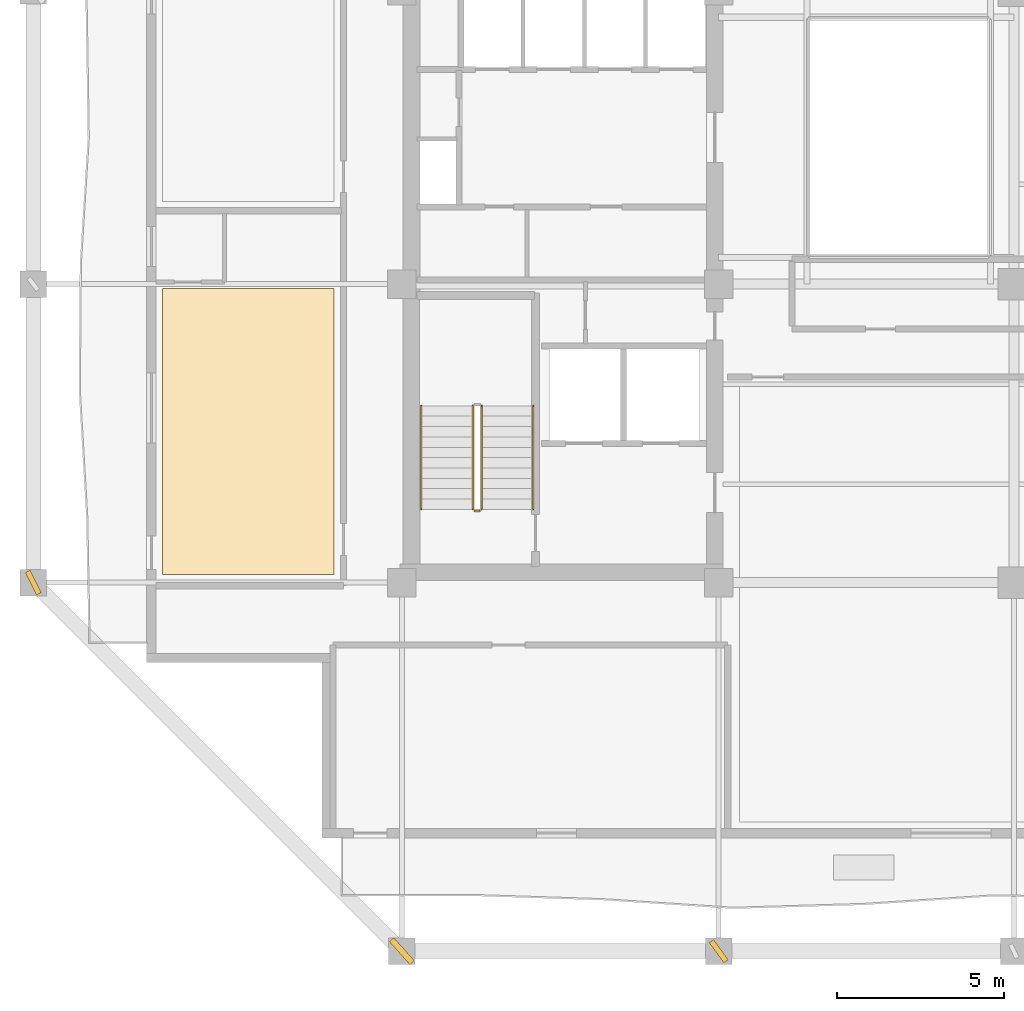
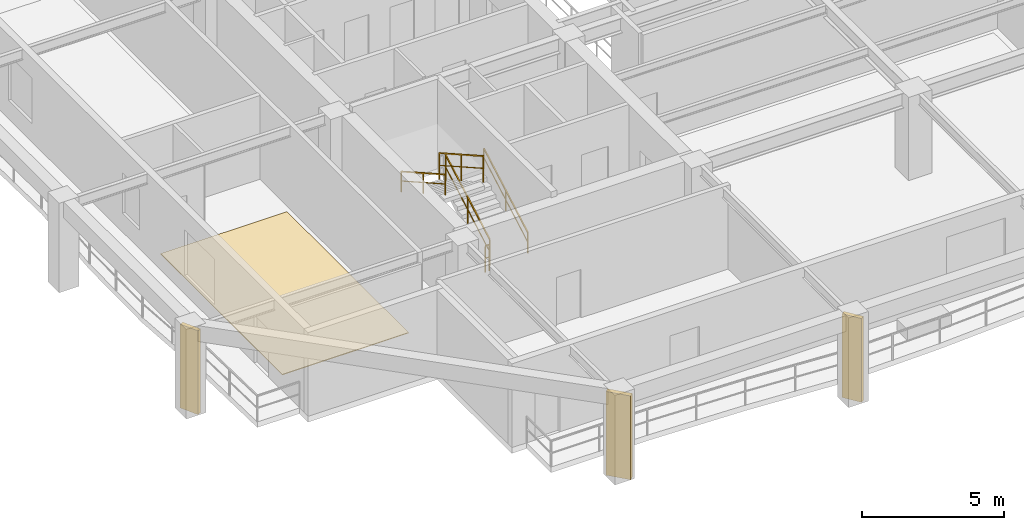
# One storey, part 7 of 12: 5 railings, 3 shading devices, 1 covering.
"""IFC4 building model written with IfcOpenShell, lengths in metres."""

from ifc_helpers import new_model, si_unit, direction, frame, origin, origin_2d, place, context, subcontext, project, spatial, polyline, rectangle, outline, extrude, material, layer, layer_set, type_object, element, save


model = new_model("IFC4")

# Units and contexts
model_context = context("Model", 3, precision=1e-05, world=origin(), true_north=direction((0.0, 1.0)))
body_context = subcontext(model_context, "Body", "Model", "MODEL_VIEW")
ifc_project = project(units=[si_unit("LENGTHUNIT", "METRE"), si_unit("AREAUNIT", "SQUARE_METRE"), si_unit("VOLUMEUNIT", "CUBIC_METRE"), si_unit("PLANEANGLEUNIT", "RADIAN"), si_unit("MASSUNIT", "GRAM", prefix="KILO")], contexts=[model_context])

# Site, building, storey
site_placement = place(None, origin())
site = spatial("IfcSite", under=ifc_project, at=site_placement, CompositionType="ELEMENT")
building_placement = place(site_placement, origin())
building = spatial("IfcBuilding", under=site, at=building_placement, Name="Kundavana Baori Tower", CompositionType="ELEMENT")
storey_placement = place(building_placement, frame((0.0, 0.0, 157.89990234375)))
storey = spatial("IfcBuildingStorey", under=building, at=storey_placement, Name="L38", CompositionType="ELEMENT", Elevation=157.89990234375)

# Covering
ifc_material_1 = material(Name="Honed Kota Stone and Terrazzo Flooring", Category="masonry")
ifc_layer = layer(ifc_material_1, 0.030029296875, Name="COV-INT-FLR")
ifc_layer_set = layer_set([ifc_layer], Name="Honed Kota Stone and Terrazzo Flooring")
covering_type = type_object("IfcCoveringType", Name="COV-INT-FLR", PredefinedType="FLOORING", material=ifc_layer_set)
covering_placement = place(storey_placement, origin())
element("IfcCovering", 1, at=covering_placement, inside=storey, type_object=covering_type, Name="L38 Room Finished Stone Flooring 1", PredefinedType="FLOORING", context=body_context, shape_type="SweptSolid", body=[
    extrude(outline(polyline([(8.280029296875, 15.5), (13.419921875, 15.5), (13.419921875, 24.070068359375), (8.280029296875, 24.070068359375), (8.280029296875, 15.5)])), origin(), (0.0, 0.0, 1.0), 0.030029296875),
])

# Railings
ifc_material_2 = material(Name="Architectural Patinated Bronze Metalwork")
railing_type_1 = type_object("IfcRailingType", Name="RL-GRD-1150", PredefinedType="GUARDRAIL", material=ifc_material_2)
railing_1_placement = place(storey_placement, frame((17.840087890625, 17.449951171875, 0.175048828125)))
element("IfcRailing", 2, at=railing_1_placement, inside=storey, type_object=railing_type_1, Name="L38 ST1 stair guard 1", PredefinedType="GUARDRAIL", context=body_context, shape_type="SweptSolid", body=[
    extrude(rectangle(XDim=0.048095703125, YDim=0.048095703125, at=origin_2d()), frame((0.0, 0.0, 1.1259765625), z_axis=(0.0, 0.870830938388, 0.491582624537), x_axis=(-1.0, 0.0, 0.0)), (0.0, 0.0, 1.0), 3.559814453125),
    extrude(rectangle(XDim=0.03125, YDim=0.03125, at=origin_2d()), frame((0.0, 0.0, 0.597900390625), z_axis=(0.0, 0.870830938388, 0.491582624537), x_axis=(-1.0, 0.0, 0.0)), (0.0, 0.0, 1.0), 3.559814453125),
    extrude(rectangle(XDim=0.0419921875, YDim=0.0419921875, at=origin_2d()), origin(), (0.0, 0.0, 1.0), 1.101806640625),
    extrude(rectangle(XDim=0.0419921875, YDim=0.0419921875, at=origin_2d()), frame((0.0, 1.550048828125, 0.875)), (0.0, 0.0, 1.0), 1.101806640625),
    extrude(rectangle(XDim=0.0419921875, YDim=0.0419921875, at=origin_2d()), frame((0.0, 3.10009765625, 1.75)), (0.0, 0.0, 1.0), 1.101806640625),
])
railing_2_placement = place(storey_placement, frame((17.580078125, 20.550048828125, 2.10009765625)))
element("IfcRailing", 3, at=railing_2_placement, inside=storey, type_object=railing_type_1, Name="L38 ST1 stair guard 3", PredefinedType="GUARDRAIL", context=body_context, shape_type="SweptSolid", body=[
    extrude(rectangle(XDim=0.048095703125, YDim=0.048095703125, at=origin_2d()), frame((0.0, 0.0, 1.1259765625), z_axis=(0.0, -0.870830938388, 0.491582624537), x_axis=(1.0, 0.0, 0.0)), (0.0, 0.0, 1.0), 3.559814453125),
    extrude(rectangle(XDim=0.03125, YDim=0.03125, at=origin_2d()), frame((0.0, 0.0, 0.597900390625), z_axis=(0.0, -0.870830938388, 0.491582624537), x_axis=(1.0, 0.0, 0.0)), (0.0, 0.0, 1.0), 3.559814453125),
    extrude(rectangle(XDim=0.0419921875, YDim=0.0419921875, at=origin_2d()), origin(), (0.0, 0.0, 1.0), 1.101806640625),
    extrude(rectangle(XDim=0.0419921875, YDim=0.0419921875, at=origin_2d()), frame((0.0, -1.550048828125, 0.875)), (0.0, 0.0, 1.0), 1.101806640625),
    extrude(rectangle(XDim=0.0419921875, YDim=0.0419921875, at=origin_2d()), frame((0.0, -3.10009765625, 1.75)), (0.0, 0.0, 1.0), 1.101806640625),
])
railing_3_placement = place(storey_placement, frame((17.7900390625, 17.39990234375, 0.0)))
element("IfcRailing", 4, at=railing_3_placement, inside=storey, type_object=railing_type_1, Name="L38 ST1 stair guard 4", PredefinedType="GUARDRAIL", context=body_context, shape_type="SweptSolid", body=[
    extrude(rectangle(XDim=0.048095703125, YDim=0.048095703125, at=origin_2d()), frame((0.0, 0.0, 1.1259765625), z_axis=(-1.0, 0.0, 0.0), x_axis=(0.0, -1.0, 0.0)), (0.0, 0.0, 1.0), 0.16015625),
    extrude(rectangle(XDim=0.03125, YDim=0.03125, at=origin_2d()), frame((0.0, 0.0, 0.597900390625), z_axis=(-1.0, 0.0, 0.0), x_axis=(0.0, -1.0, 0.0)), (0.0, 0.0, 1.0), 0.16015625),
    extrude(rectangle(XDim=0.0419921875, YDim=0.0419921875, at=origin_2d()), origin(), (0.0, 0.0, 1.0), 1.101806640625),
    extrude(rectangle(XDim=0.0419921875, YDim=0.0419921875, at=origin_2d()), frame((-0.16015625, 0.0, 0.0)), (0.0, 0.0, 1.0), 1.101806640625),
])
ifc_material_3 = material(Name="Architectural Patinated Bronze Metalwork")
railing_type_2 = type_object("IfcRailingType", Name="RL-HND-920", PredefinedType="HANDRAIL", material=ifc_material_3)
railing_4_placement = place(storey_placement, frame((19.389892578125, 17.449951171875, 0.175048828125)))
element("IfcRailing", 5, at=railing_4_placement, inside=storey, type_object=railing_type_2, Name="L38 ST1 stair handrail 1", PredefinedType="HANDRAIL", context=body_context, shape_type="SweptSolid", body=[
    extrude(rectangle(XDim=0.048095703125, YDim=0.048095703125, at=origin_2d()), frame((0.0, 0.0, 0.8759765625), z_axis=(0.0, 0.870830938388, 0.491582624537), x_axis=(-1.0, 0.0, 0.0)), (0.0, 0.0, 1.0), 3.559814453125),
    extrude(rectangle(XDim=0.03125, YDim=0.03125, at=origin_2d()), frame((0.0, 0.0, 0.468017578125), z_axis=(0.0, 0.870830938388, 0.491582624537), x_axis=(-1.0, 0.0, 0.0)), (0.0, 0.0, 1.0), 3.559814453125),
    extrude(rectangle(XDim=0.0419921875, YDim=0.0419921875, at=origin_2d()), origin(), (0.0, 0.0, 1.0), 0.851806640625),
    extrude(rectangle(XDim=0.0419921875, YDim=0.0419921875, at=origin_2d()), frame((0.0, 1.550048828125, 0.875)), (0.0, 0.0, 1.0), 0.851806640625),
    extrude(rectangle(XDim=0.0419921875, YDim=0.0419921875, at=origin_2d()), frame((0.0, 3.10009765625, 1.75)), (0.0, 0.0, 1.0), 0.851806640625),
])
railing_5_placement = place(storey_placement, frame((16.030029296875, 20.550048828125, 2.10009765625)))
element("IfcRailing", 6, at=railing_5_placement, inside=storey, type_object=railing_type_2, Name="L38 ST1 stair handrail 2", PredefinedType="HANDRAIL", context=body_context, shape_type="SweptSolid", body=[
    extrude(rectangle(XDim=0.048095703125, YDim=0.048095703125, at=origin_2d()), frame((0.0, 0.0, 0.8759765625), z_axis=(0.0, -0.870830938388, 0.491582624537), x_axis=(1.0, 0.0, 0.0)), (0.0, 0.0, 1.0), 3.559814453125),
    extrude(rectangle(XDim=0.03125, YDim=0.03125, at=origin_2d()), frame((0.0, 0.0, 0.468017578125), z_axis=(0.0, -0.870830938388, 0.491582624537), x_axis=(1.0, 0.0, 0.0)), (0.0, 0.0, 1.0), 3.559814453125),
    extrude(rectangle(XDim=0.0419921875, YDim=0.0419921875, at=origin_2d()), origin(), (0.0, 0.0, 1.0), 0.851806640625),
    extrude(rectangle(XDim=0.0419921875, YDim=0.0419921875, at=origin_2d()), frame((0.0, -1.550048828125, 0.875)), (0.0, 0.0, 1.0), 0.851806640625),
    extrude(rectangle(XDim=0.0419921875, YDim=0.0419921875, at=origin_2d()), frame((0.0, -3.10009765625, 1.75)), (0.0, 0.0, 1.0), 0.851806640625),
])

# Shading devices
ifc_material_4 = material(Name="Red-Buff Dholpur Sandstone Cladding on Concrete C40/50", Category="masonry")
shading_device_type_1 = type_object("IfcShadingDeviceType", Name="SHD-FIN-750", PredefinedType="JALOUSIE", material=ifc_material_4)
for number, where, z_axis, x_axis, name in (
    (7, (24.949951171875, 4.199951171875, 0.0), (0.0, 0.0, 1.0), (0.809324647101, 0.587361571432, 0.0), "L38 Sweeping Dholpur Sandstone Facade Fin 2"),
    (8, (4.39990234375, 15.25, 0.0), (0.0, 0.0, 1.0), (0.892743150022, 0.450565941999, 0.0), "L38 Sweeping Dholpur Sandstone Facade Fin 5"),
):
    element("IfcShadingDevice", number, at=place(storey_placement, frame(where, z_axis=z_axis, x_axis=x_axis)), inside=storey, type_object=shading_device_type_1, Name=name, PredefinedType="JALOUSIE", context=body_context, shape_type="SweptSolid", body=[
        extrude(rectangle(XDim=0.159912109375, YDim=0.75, at=origin_2d()), origin(), (0.0, 0.0, 1.0), 3.60009765625),
    ])
ifc_material_5 = material(Name="Red-Buff Dholpur Sandstone Cladding on Concrete C40/50", Category="masonry")
shading_device_type_2 = type_object("IfcShadingDeviceType", Name="SHD-FIN-920", PredefinedType="JALOUSIE", material=ifc_material_5)
shading_device_placement = place(storey_placement, frame((15.449951171875, 4.199951171875, 0.0), z_axis=(0.0, 0.0, 1.0), x_axis=(0.744661120495, 0.66744274333, 0.0)))
element("IfcShadingDevice", 9, at=shading_device_placement, inside=storey, type_object=shading_device_type_2, Name="L38 Sweeping Dholpur Sandstone Facade Fin 1", PredefinedType="JALOUSIE", context=body_context, shape_type="SweptSolid", body=[
    extrude(rectangle(XDim=0.179931640625, YDim=0.919921875, at=origin_2d()), origin(), (0.0, 0.0, 1.0), 3.60009765625),
])

save(model, "model.ifc")
